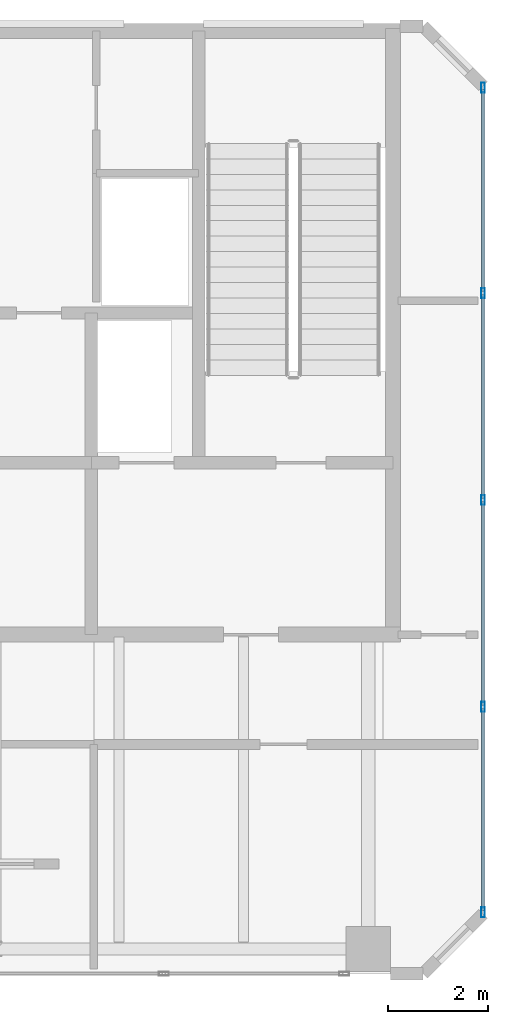
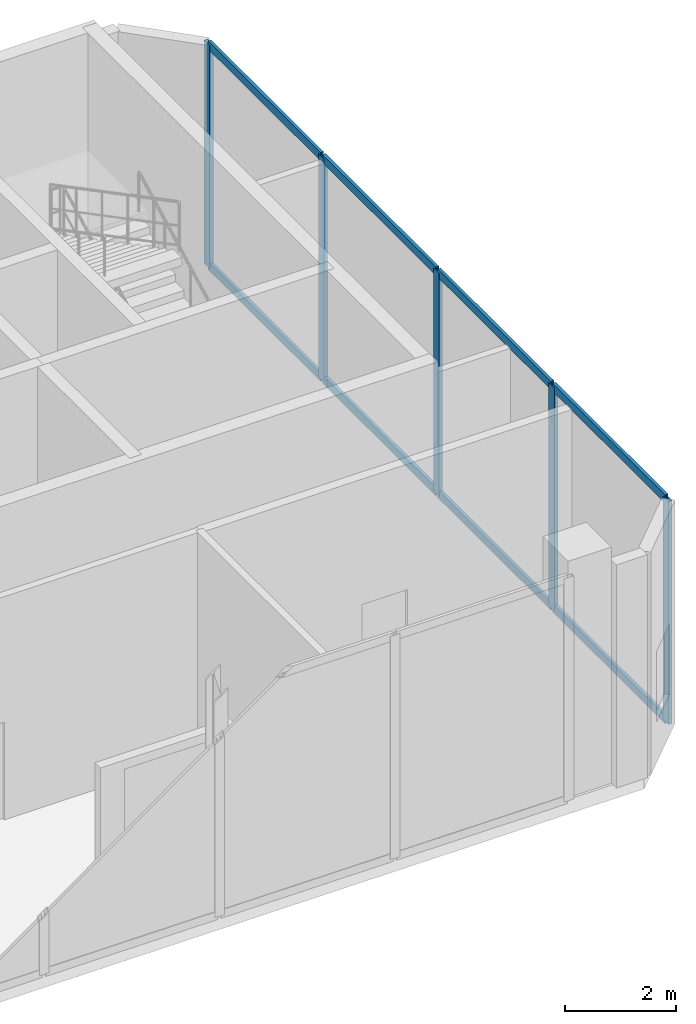
# One storey, part 7 of 10: 13 members, 1 element without a shape of its own.
"""IFC4 building model written with IfcOpenShell, lengths in metres."""

from ifc_helpers import new_model, si_unit, direction, frame, origin, origin_2d, place, context, subcontext, project, spatial, hollow_rectangle, extrude, material, layer, layer_set, material_profile, profile_set, type_object, element, aggregate, save


model = new_model("IFC4")

# Units and contexts
model_context = context("Model", 3, precision=1e-05, world=origin(), true_north=direction((0.0, 1.0)))
body_context = subcontext(model_context, "Body", "Model", "MODEL_VIEW")
ifc_project = project(units=[si_unit("LENGTHUNIT", "METRE"), si_unit("AREAUNIT", "SQUARE_METRE"), si_unit("VOLUMEUNIT", "CUBIC_METRE"), si_unit("PLANEANGLEUNIT", "RADIAN"), si_unit("MASSUNIT", "GRAM", prefix="KILO")], contexts=[model_context])

# Site, building, storey
site_placement = place(None, origin())
site = spatial("IfcSite", under=ifc_project, at=site_placement, CompositionType="ELEMENT")
building_placement = place(site_placement, origin())
building = spatial("IfcBuilding", under=site, at=building_placement, Name="Catumbela Crestline Tower", CompositionType="ELEMENT")
storey_placement = place(building_placement, frame((0.0, 0.0, 295.8)))
storey = spatial("IfcBuildingStorey", under=building, at=storey_placement, Name="L76", CompositionType="ELEMENT", Elevation=295.8)

# Curtain wall, members
ifc_material = material(Name="Aluminium alloy AW-6060-T66", Category="aluminium")
ifc_layer = layer(ifc_material, 0.18, Name="Aluminium alloy AW-6060-T66")
ifc_layer_set = layer_set([ifc_layer], Name="Aluminium alloy AW-6060-T66")
curtain_wall_type = type_object("IfcCurtainWallType", Name="CWS-OBS", PredefinedType="USERDEFINED", material=ifc_layer_set)
curtain_wall_placement = place(storey_placement, origin())
curtain_wall = element("IfcCurtainWall", 1, at=curtain_wall_placement, inside=storey, type_object=curtain_wall_type, Name="L76 Stick Curtain Wall CW-L76-E2S1", ObjectType="STICK", PredefinedType="USERDEFINED")
ifc_material_profile_1 = material_profile(ifc_material, hollow_rectangle(XDim=0.075, YDim=0.2, WallThickness=0.005, at=origin_2d()), Name="ALU 200x75x5")
ifc_profile_set_1 = profile_set([ifc_material_profile_1], Name="Aluminium alloy AW-6060-T66")
member_type_1 = type_object("IfcMemberType", Name="MUL-200X75", PredefinedType="MULLION", material=ifc_profile_set_1)
member_1_placement = place(storey_placement, frame((41.8, 25.2325, 0.0), z_axis=(0.0, 0.0, 1.0), x_axis=(-1.0, 0.0, 0.0)))
member_1 = element("IfcMember", 2, at=member_1_placement, type_object=member_type_1, Name="CWS-OBS mullion 1", PredefinedType="MULLION", context=body_context, shape_type="SweptSolid", body=[
    extrude(hollow_rectangle(XDim=0.075, YDim=0.2, WallThickness=0.005, at=origin_2d()), origin(), (0.0, 0.0, 1.0), 4.91),
])
member_2_placement = place(storey_placement, frame((41.8, 29.35, 0.0), z_axis=(0.0, 0.0, 1.0), x_axis=(-1.0, 0.0, 0.0)))
member_2 = element("IfcMember", 3, at=member_2_placement, type_object=member_type_1, Name="CWS-OBS mullion 2", PredefinedType="MULLION", context=body_context, shape_type="SweptSolid", body=[
    extrude(hollow_rectangle(XDim=0.075, YDim=0.2, WallThickness=0.005, at=origin_2d()), origin(), (0.0, 0.0, 1.0), 4.91),
])
member_3_placement = place(storey_placement, frame((41.8, 33.5, 0.0), z_axis=(0.0, 0.0, 1.0), x_axis=(-1.0, 0.0, 0.0)))
member_3 = element("IfcMember", 4, at=member_3_placement, type_object=member_type_1, Name="CWS-OBS mullion 3", PredefinedType="MULLION", context=body_context, shape_type="SweptSolid", body=[
    extrude(hollow_rectangle(XDim=0.075, YDim=0.2, WallThickness=0.005, at=origin_2d()), origin(), (0.0, 0.0, 1.0), 4.91),
])
member_4_placement = place(storey_placement, frame((41.8, 37.65, 0.0), z_axis=(0.0, 0.0, 1.0), x_axis=(-1.0, 0.0, 0.0)))
member_4 = element("IfcMember", 5, at=member_4_placement, type_object=member_type_1, Name="CWS-OBS mullion 4", PredefinedType="MULLION", context=body_context, shape_type="SweptSolid", body=[
    extrude(hollow_rectangle(XDim=0.075, YDim=0.2, WallThickness=0.005, at=origin_2d()), origin(), (0.0, 0.0, 1.0), 4.91),
])
member_5_placement = place(storey_placement, frame((41.8, 41.7675, 0.0), z_axis=(0.0, 0.0, 1.0), x_axis=(-1.0, 0.0, 0.0)))
member_5 = element("IfcMember", 6, at=member_5_placement, type_object=member_type_1, Name="CWS-OBS mullion 5", PredefinedType="MULLION", context=body_context, shape_type="SweptSolid", body=[
    extrude(hollow_rectangle(XDim=0.075, YDim=0.2, WallThickness=0.005, at=origin_2d()), origin(), (0.0, 0.0, 1.0), 4.91),
])
ifc_material_profile_2 = material_profile(ifc_material, hollow_rectangle(XDim=0.065, YDim=0.18, WallThickness=0.004, at=origin_2d()), Name="ALU 180x65x4")
ifc_profile_set_2 = profile_set([ifc_material_profile_2], Name="Aluminium alloy AW-6060-T66")
member_type_2 = type_object("IfcMemberType", Name="TRN-180X65", PredefinedType="USERDEFINED", material=ifc_profile_set_2)
member_6_placement = place(storey_placement, frame((41.8, 25.265, 0.03), z_axis=(0.0, 1.0, 0.0), x_axis=(-1.0, 0.0, 0.0)))
member_6 = element("IfcMember", 7, at=member_6_placement, type_object=member_type_2, Name="CWS-OBS transom 1.1", ObjectType="TRANSOM", PredefinedType="USERDEFINED", context=body_context, shape_type="SweptSolid", body=[
    extrude(hollow_rectangle(XDim=0.065, YDim=0.18, WallThickness=0.004, at=origin_2d()), origin(), (0.0, 0.0, 1.0), 4.0525),
])
member_7_placement = place(storey_placement, frame((41.8, 25.265, 4.88), z_axis=(0.0, 1.0, 0.0), x_axis=(-1.0, 0.0, 0.0)))
member_7 = element("IfcMember", 8, at=member_7_placement, type_object=member_type_2, Name="CWS-OBS transom 1.2", ObjectType="TRANSOM", PredefinedType="USERDEFINED", context=body_context, shape_type="SweptSolid", body=[
    extrude(hollow_rectangle(XDim=0.065, YDim=0.18, WallThickness=0.004, at=origin_2d()), origin(), (0.0, 0.0, 1.0), 4.0525),
])
member_8_placement = place(storey_placement, frame((41.8, 29.3825, 0.03), z_axis=(0.0, 1.0, 0.0), x_axis=(-1.0, 0.0, 0.0)))
member_8 = element("IfcMember", 9, at=member_8_placement, type_object=member_type_2, Name="CWS-OBS transom 2.1", ObjectType="TRANSOM", PredefinedType="USERDEFINED", context=body_context, shape_type="SweptSolid", body=[
    extrude(hollow_rectangle(XDim=0.065, YDim=0.18, WallThickness=0.004, at=origin_2d()), origin(), (0.0, 0.0, 1.0), 4.085),
])
member_9_placement = place(storey_placement, frame((41.8, 29.3825, 4.88), z_axis=(0.0, 1.0, 0.0), x_axis=(-1.0, 0.0, 0.0)))
member_9 = element("IfcMember", 10, at=member_9_placement, type_object=member_type_2, Name="CWS-OBS transom 2.2", ObjectType="TRANSOM", PredefinedType="USERDEFINED", context=body_context, shape_type="SweptSolid", body=[
    extrude(hollow_rectangle(XDim=0.065, YDim=0.18, WallThickness=0.004, at=origin_2d()), origin(), (0.0, 0.0, 1.0), 4.085),
])
member_10_placement = place(storey_placement, frame((41.8, 33.5325, 0.03), z_axis=(0.0, 1.0, 0.0), x_axis=(-1.0, 0.0, 0.0)))
member_10 = element("IfcMember", 11, at=member_10_placement, type_object=member_type_2, Name="CWS-OBS transom 3.1", ObjectType="TRANSOM", PredefinedType="USERDEFINED", context=body_context, shape_type="SweptSolid", body=[
    extrude(hollow_rectangle(XDim=0.065, YDim=0.18, WallThickness=0.004, at=origin_2d()), origin(), (0.0, 0.0, 1.0), 4.085),
])
member_11_placement = place(storey_placement, frame((41.8, 33.5325, 4.88), z_axis=(0.0, 1.0, 0.0), x_axis=(-1.0, 0.0, 0.0)))
member_11 = element("IfcMember", 12, at=member_11_placement, type_object=member_type_2, Name="CWS-OBS transom 3.2", ObjectType="TRANSOM", PredefinedType="USERDEFINED", context=body_context, shape_type="SweptSolid", body=[
    extrude(hollow_rectangle(XDim=0.065, YDim=0.18, WallThickness=0.004, at=origin_2d()), origin(), (0.0, 0.0, 1.0), 4.085),
])
member_12_placement = place(storey_placement, frame((41.8, 37.6825, 0.03), z_axis=(0.0, 1.0, 0.0), x_axis=(-1.0, 0.0, 0.0)))
member_12 = element("IfcMember", 13, at=member_12_placement, type_object=member_type_2, Name="CWS-OBS transom 4.1", ObjectType="TRANSOM", PredefinedType="USERDEFINED", context=body_context, shape_type="SweptSolid", body=[
    extrude(hollow_rectangle(XDim=0.065, YDim=0.18, WallThickness=0.004, at=origin_2d()), origin(), (0.0, 0.0, 1.0), 4.0525),
])
member_13_placement = place(storey_placement, frame((41.8, 37.6825, 4.88), z_axis=(0.0, 1.0, 0.0), x_axis=(-1.0, 0.0, 0.0)))
member_13 = element("IfcMember", 14, at=member_13_placement, type_object=member_type_2, Name="CWS-OBS transom 4.2", ObjectType="TRANSOM", PredefinedType="USERDEFINED", context=body_context, shape_type="SweptSolid", body=[
    extrude(hollow_rectangle(XDim=0.065, YDim=0.18, WallThickness=0.004, at=origin_2d()), origin(), (0.0, 0.0, 1.0), 4.0525),
])
aggregate(curtain_wall, [member_1, member_2, member_3, member_4, member_5, member_6, member_7, member_8, member_9, member_10, member_11, member_12, member_13])

save(model, "model.ifc")
